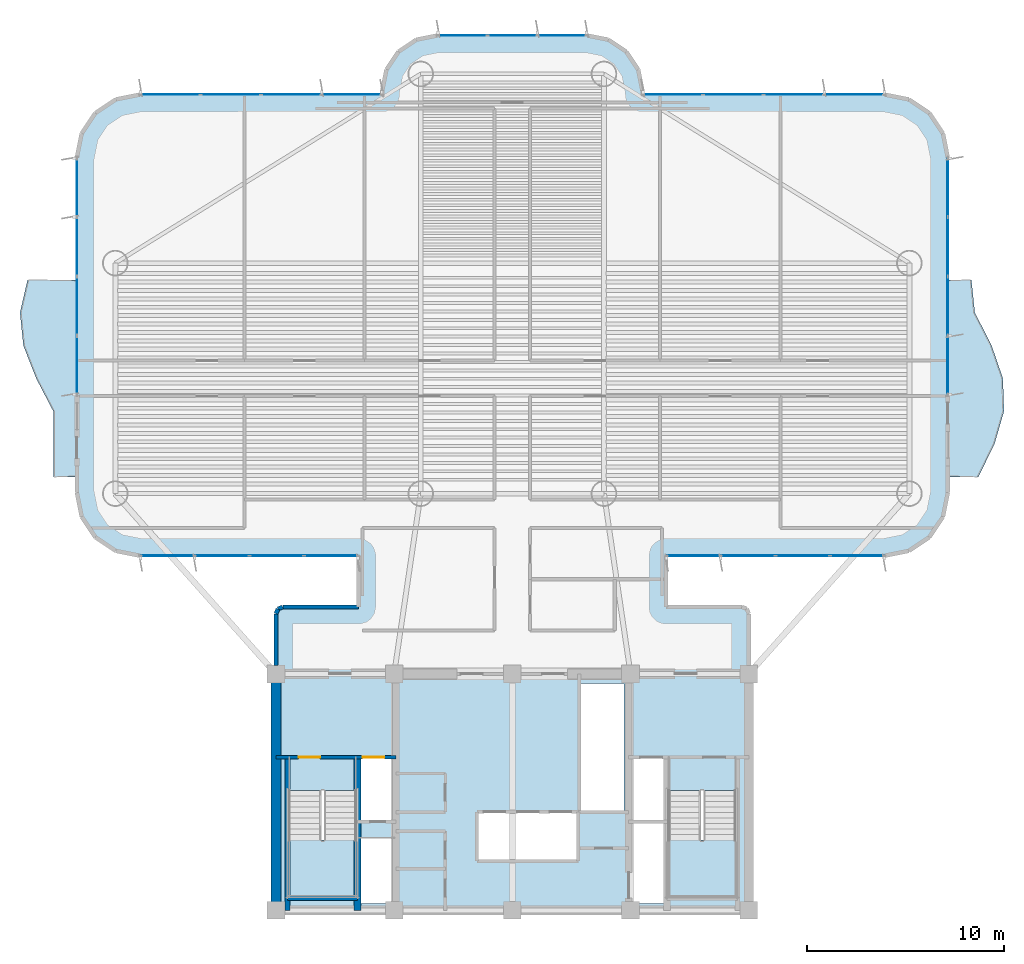
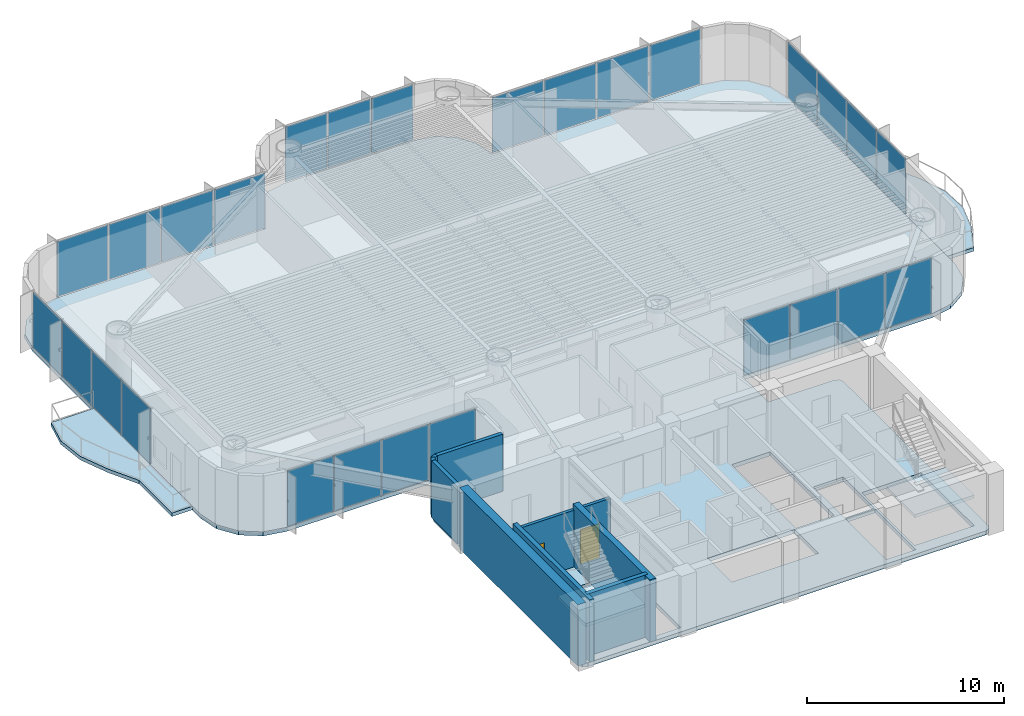
# One storey, part 8 of 16: 27 plates, 9 walls, 5 slabs, 2 doors, 2 openings, 9 elements without a shape of their own.
"""IFC4 building model written with IfcOpenShell, lengths in metres."""

from ifc_helpers import new_model, si_unit, direction, frame, frame_2d, origin, origin_2d, place, context, subcontext, project, spatial, polyline, rectangle, outline, extrude, source, transform, mapped, material, layer, layer_set, type_object, element, fill, aggregate, save


model = new_model("IFC4")

# Units and contexts
model_context = context("Model", 3, precision=1e-05, world=origin(), true_north=direction((0.0, 1.0)))
body_context = subcontext(model_context, "Body", "Model", "MODEL_VIEW")
ifc_project = project(units=[si_unit("LENGTHUNIT", "METRE"), si_unit("AREAUNIT", "SQUARE_METRE"), si_unit("VOLUMEUNIT", "CUBIC_METRE"), si_unit("PLANEANGLEUNIT", "RADIAN"), si_unit("MASSUNIT", "GRAM", prefix="KILO")], contexts=[model_context])

# Site, building, storey
site_placement = place(None, origin())
site = spatial("IfcSite", under=ifc_project, at=site_placement, CompositionType="ELEMENT")
building_placement = place(site_placement, origin())
building = spatial("IfcBuilding", under=site, at=building_placement, Name="Brelvock Crest Care Tower", CompositionType="ELEMENT")
storey_placement = place(building_placement, frame((0.0, 0.0, 116.280029296875)))
storey = spatial("IfcBuildingStorey", under=building, at=storey_placement, Name="L29", CompositionType="ELEMENT", Elevation=116.280029296875)

# Slabs
ifc_material_1 = material(Name="Concrete N50 (50 MPa)", Category="concrete")
ifc_layer_1 = layer(ifc_material_1, 0.22998046875, Name="SLB-FL4")
ifc_layer_set_1 = layer_set([ifc_layer_1], Name="Concrete N50 (50 MPa)")
slab_type_1 = type_object("IfcSlabType", Name="SLB-FL4", PredefinedType="FLOOR", material=ifc_layer_set_1)
slab_1_placement = place(storey_placement, frame((0.0, 0.0, -0.25)))
element("IfcSlab", 1, at=slab_1_placement, inside=storey, type_object=slab_type_1, Name="L29 Main Structural Slab", PredefinedType="FLOOR", context=body_context, shape_type="SweptSolid", body=[
    extrude(outline(polyline([(47.64990234375, 21.39990234375), (43.800048828125, 21.39990234375), (43.800048828125, 24.0), (54.89990234375, 24.0), (56.12451171875, 24.24365234375), (57.16259765625, 24.937255859375), (57.8564453125, 25.975341796875), (58.10009765625, 27.199951171875), (58.10009765625, 44.199951171875), (57.8564453125, 45.424560546875), (57.16259765625, 46.462646484375), (56.12451171875, 47.156494140625), (54.89990234375, 47.39990234375), (42.60009765625, 47.39990234375), (42.60009765625, 47.60009765625), (42.386962890625, 48.67138671875), (41.77978515625, 49.579833984375), (40.87158203125, 50.18701171875), (39.800048828125, 50.39990234375), (32.199951171875, 50.39990234375), (31.12841796875, 50.18701171875), (30.22021484375, 49.579833984375), (29.613037109375, 48.67138671875), (29.39990234375, 47.60009765625), (29.39990234375, 47.39990234375), (17.10009765625, 47.39990234375), (15.87548828125, 47.156494140625), (14.83740234375, 46.462646484375), (14.1435546875, 45.424560546875), (13.89990234375, 44.199951171875), (13.89990234375, 27.199951171875), (14.1435546875, 25.975341796875), (14.83740234375, 24.937255859375), (15.87548828125, 24.24365234375), (17.10009765625, 24.0), (28.199951171875, 24.0), (28.199951171875, 21.39990234375), (24.35009765625, 21.39990234375), (24.1025390625, 21.297607421875), (24.0, 21.050048828125), (24.0, 6.35009765625), (24.1025390625, 6.1025390625), (24.35009765625, 6.0), (47.64990234375, 6.0), (47.8974609375, 6.1025390625), (48.0, 6.35009765625), (48.0, 21.050048828125), (47.8974609375, 21.297607421875), (47.64990234375, 21.39990234375)]), holes=[polyline([(28.239990234375, 10.580078125), (29.97998046875, 10.580078125), (29.97998046875, 13.739990234375), (28.239990234375, 13.739990234375), (28.239990234375, 10.580078125)]), polyline([(42.02001953125, 10.580078125), (43.760009765625, 10.580078125), (43.760009765625, 13.739990234375), (42.02001953125, 13.739990234375), (42.02001953125, 10.580078125)]), polyline([(28.239990234375, 6.340087890625), (29.97998046875, 6.340087890625), (29.97998046875, 9.64990234375), (28.239990234375, 9.64990234375), (28.239990234375, 6.340087890625)]), polyline([(24.6298828125, 12.080078125), (24.6298828125, 6.699951171875), (28.110107421875, 6.699951171875), (28.110107421875, 12.080078125), (24.6298828125, 12.080078125)]), polyline([(43.889892578125, 12.080078125), (43.889892578125, 6.699951171875), (47.3701171875, 6.699951171875), (47.3701171875, 12.080078125), (43.889892578125, 12.080078125)]), polyline([(42.02001953125, 6.340087890625), (43.760009765625, 6.340087890625), (43.760009765625, 10.5), (42.02001953125, 10.5), (42.02001953125, 6.340087890625)]), polyline([(34.22998046875, 8.530029296875), (39.320068359375, 8.530029296875), (39.320068359375, 10.969970703125), (34.22998046875, 10.969970703125), (34.22998046875, 8.530029296875)]), polyline([(39.429931640625, 11.030029296875), (41.669921875, 11.030029296875), (41.669921875, 17.52001953125), (39.429931640625, 17.52001953125), (39.429931640625, 11.030029296875)])]), origin(), (0.0, 0.0, 1.0), 0.25),
])
ifc_layer_2 = layer(ifc_material_1, 0.219970703125, Name="SLB-WB1")
ifc_layer_set_2 = layer_set([ifc_layer_2], Name="Concrete N50 (50 MPa)")
slab_type_2 = type_object("IfcSlabType", Name="SLB-WB1", PredefinedType="FLOOR", material=ifc_layer_set_2)
slab_2_placement = place(storey_placement, frame((0.0, 0.0, -0.219970703125)))
element("IfcSlab", 2, at=slab_2_placement, inside=storey, type_object=slab_type_2, Name="L29 W Sinusoidal Wave Balcony Slab", PredefinedType="FLOOR", context=body_context, shape_type="SweptSolid", body=[
    extrude(outline(polyline([(13.89990234375, 38.0), (11.3955078125, 38.0), (11.011474609375, 36.333251953125), (11.180908203125, 34.666748046875), (11.83349609375, 33.0), (12.699462890625, 31.333251953125), (12.699951171875, 29.666748046875), (12.699951171875, 28.0), (13.89990234375, 28.0), (13.89990234375, 38.0)])), origin(), (0.0, 0.0, 1.0), 0.219970703125),
])
slab_3_placement = place(storey_placement, frame((0.0, 0.0, -0.219970703125)))
element("IfcSlab", 3, at=slab_3_placement, inside=storey, type_object=slab_type_2, Name="L29 E Sinusoidal Wave Balcony Slab", PredefinedType="FLOOR", context=body_context, shape_type="SweptSolid", body=[
    extrude(outline(polyline([(58.10009765625, 28.0), (59.64990234375, 28.0), (60.4716796875, 29.666748046875), (60.9541015625, 31.333251953125), (60.897216796875, 33.0), (60.324951171875, 34.666748046875), (59.473876953125, 36.333251953125), (59.300048828125, 38.0), (58.10009765625, 38.0), (58.10009765625, 28.0)])), origin(), (0.0, 0.0, 1.0), 0.219970703125),
])

# Stair, slab
ifc_material_2 = material(Name="Concrete N40 (40 MPa)", Category="concrete")
stair_type = type_object("IfcStairType", Name="ST-CORE1", PredefinedType="HALF_TURN_STAIR", material=ifc_material_2)
stair_1_placement = place(storey_placement, origin())
stair_1 = element("IfcStair", 4, at=stair_1_placement, inside=storey, type_object=stair_type, Name="L29 Fire-Isolated Core Stair ST-1", PredefinedType="HALF_TURN_STAIR")
ifc_layer_3 = layer(ifc_material_2, 0.199951171875, Name="STL-1")
ifc_layer_set_3 = layer_set([ifc_layer_3], Name="Concrete N40 (40 MPa)")
slab_type_3 = type_object("IfcSlabType", Name="STL-1", PredefinedType="LANDING", material=ifc_layer_set_3)
slab_4_placement = place(storey_placement, frame((0.0, 0.0, 1.68994140625)))
slab_4 = element("IfcSlab", 5, at=slab_4_placement, type_object=slab_type_3, Name="ST-1 landing 1", PredefinedType="LANDING", context=body_context, shape_type="SweptSolid", body=[
    extrude(outline(polyline([(24.6298828125, 9.56005859375), (24.6298828125, 6.699951171875), (28.110107421875, 6.699951171875), (28.110107421875, 9.56005859375), (24.6298828125, 9.56005859375)])), origin(), (0.0, 0.0, 1.0), 0.199951171875),
])
aggregate(stair_1, [slab_4])

stair_2_placement = place(storey_placement, origin())
stair_2 = element("IfcStair", 6, at=stair_2_placement, inside=storey, type_object=stair_type, Name="L29 Fire-Isolated Core Stair ST-2", PredefinedType="HALF_TURN_STAIR")
slab_5_placement = place(storey_placement, frame((0.0, 0.0, 1.68994140625)))
slab_5 = element("IfcSlab", 7, at=slab_5_placement, type_object=slab_type_3, Name="ST-2 landing 1", PredefinedType="LANDING", context=body_context, shape_type="SweptSolid", body=[
    extrude(outline(polyline([(43.889892578125, 9.56005859375), (43.889892578125, 6.699951171875), (47.3701171875, 6.699951171875), (47.3701171875, 9.56005859375), (43.889892578125, 9.56005859375)])), origin(), (0.0, 0.0, 1.0), 0.199951171875),
])
aggregate(stair_2, [slab_5])

# Curtain wall, plates
ifc_material_3 = material(Name="Dark Glass Double Glazed Low-E", Category="glass")
ifc_layer_4 = layer(ifc_material_3, 0.2099609375, Name="CWS-3")
ifc_layer_set_4 = layer_set([ifc_layer_4], Name="Dark Glass Double Glazed Low-E")
curtain_wall_type = type_object("IfcCurtainWallType", Name="CWS-3", PredefinedType="NOTDEFINED", material=ifc_layer_set_4)
curtain_wall_1_placement = place(storey_placement, origin())
curtain_wall_1 = element("IfcCurtainWall", 8, at=curtain_wall_1_placement, inside=storey, type_object=curtain_wall_type, Name="L29 Curtain Wall E12", PredefinedType="NOTDEFINED")
ifc_layer_5 = layer(ifc_material_3, 0.031982421875, Name="CWP-V1")
ifc_layer_set_5 = layer_set([ifc_layer_5], Name="Dark Glass Double Glazed Low-E")
plate_type = type_object("IfcPlateType", Name="CWP-V1", PredefinedType="CURTAIN_PANEL", material=ifc_layer_set_5)
shared_shape_1 = source(origin(), body_context, "Body", "SweptSolid", [
    extrude(rectangle(XDim=2.68505859375, YDim=0.035888671875, at=origin_2d()), origin(), (0.0, 0.0, 1.0), 3.409912109375),
])
plate_1_placement = place(storey_placement, frame((26.797607421875, 24.0, 0.06005859375), z_axis=(0.0, 0.0, 1.0), x_axis=(-1.0, 0.0, 0.0)))
plate_1 = element("IfcPlate", 9, at=plate_1_placement, type_object=plate_type, Name="CW-3 panel 1.1", PredefinedType="CURTAIN_PANEL", context=body_context, shape_type="MappedRepresentation", body=[
    mapped(shared_shape_1, transform((0.0, 0.0, 0.0), x_axis=(1.0, 0.0, 0.0), y_axis=(0.0, 1.0, 0.0), z_axis=(0.0, 0.0, 1.0), scale=1.0)),
])
plate_2_placement = place(storey_placement, frame((18.50244140625, 24.0, 0.06005859375), z_axis=(0.0, 0.0, 1.0), x_axis=(-1.0, 0.0, 0.0)))
plate_2 = element("IfcPlate", 10, at=plate_2_placement, type_object=plate_type, Name="CW-3 panel 4.1", PredefinedType="CURTAIN_PANEL", context=body_context, shape_type="MappedRepresentation", body=[
    mapped(shared_shape_1, transform((0.0, 0.0, 0.0), x_axis=(1.0, 0.0, 0.0), y_axis=(0.0, 1.0, 0.0), z_axis=(0.0, 0.0, 1.0), scale=1.0)),
])

curtain_wall_2_placement = place(storey_placement, origin())
curtain_wall_2 = element("IfcCurtainWall", 11, at=curtain_wall_2_placement, inside=storey, type_object=curtain_wall_type, Name="L29 Curtain Wall E44", PredefinedType="NOTDEFINED")
plate_3_placement = place(storey_placement, frame((53.49755859375, 24.0, 0.06005859375), z_axis=(0.0, 0.0, 1.0), x_axis=(-1.0, 0.0, 0.0)))
plate_3 = element("IfcPlate", 12, at=plate_3_placement, type_object=plate_type, Name="CW-3 panel 1.1", PredefinedType="CURTAIN_PANEL", context=body_context, shape_type="MappedRepresentation", body=[
    mapped(shared_shape_1, transform((0.0, 0.0, 0.0), x_axis=(1.0, 0.0, 0.0), y_axis=(0.0, 1.0, 0.0), z_axis=(0.0, 0.0, 1.0), scale=1.0)),
])
plate_4_placement = place(storey_placement, frame((45.202392578125, 24.0, 0.06005859375), z_axis=(0.0, 0.0, 1.0), x_axis=(-1.0, 0.0, 0.0)))
plate_4 = element("IfcPlate", 13, at=plate_4_placement, type_object=plate_type, Name="CW-3 panel 4.1", PredefinedType="CURTAIN_PANEL", context=body_context, shape_type="MappedRepresentation", body=[
    mapped(shared_shape_1, transform((0.0, 0.0, 0.0), x_axis=(1.0, 0.0, 0.0), y_axis=(0.0, 1.0, 0.0), z_axis=(0.0, 0.0, 1.0), scale=1.0)),
])

# Plate
shared_shape_2 = source(origin(), body_context, "Body", "SweptSolid", [
    extrude(rectangle(XDim=2.715087890625, YDim=0.035888671875, at=origin_2d()), origin(), (0.0, 0.0, 1.0), 3.409912109375),
])
plate_5_placement = place(storey_placement, frame((24.03759765625, 24.0, 0.06005859375), z_axis=(0.0, 0.0, 1.0), x_axis=(-1.0, 0.0, 0.0)))
plate_5 = element("IfcPlate", 14, at=plate_5_placement, type_object=plate_type, Name="CW-3 panel 2.1", PredefinedType="CURTAIN_PANEL", context=body_context, shape_type="MappedRepresentation", body=[
    mapped(shared_shape_2, transform((0.0, 0.0, 0.0), x_axis=(1.0, 0.0, 0.0), y_axis=(0.0, 1.0, 0.0), z_axis=(0.0, 0.0, 1.0), scale=1.0)),
])

plate_6_placement = place(storey_placement, frame((21.262451171875, 24.0, 0.06005859375), z_axis=(0.0, 0.0, 1.0), x_axis=(-1.0, 0.0, 0.0)))
plate_6 = element("IfcPlate", 15, at=plate_6_placement, type_object=plate_type, Name="CW-3 panel 3.1", PredefinedType="CURTAIN_PANEL", context=body_context, shape_type="MappedRepresentation", body=[
    mapped(shared_shape_2, transform((0.0, 0.0, 0.0), x_axis=(1.0, 0.0, 0.0), y_axis=(0.0, 1.0, 0.0), z_axis=(0.0, 0.0, 1.0), scale=1.0)),
])

aggregate(curtain_wall_1, [plate_1, plate_5, plate_6, plate_2])

plate_7_placement = place(storey_placement, frame((50.737548828125, 24.0, 0.06005859375), z_axis=(0.0, 0.0, 1.0), x_axis=(-1.0, 0.0, 0.0)))
plate_7 = element("IfcPlate", 16, at=plate_7_placement, type_object=plate_type, Name="CW-3 panel 2.1", PredefinedType="CURTAIN_PANEL", context=body_context, shape_type="MappedRepresentation", body=[
    mapped(shared_shape_2, transform((0.0, 0.0, 0.0), x_axis=(1.0, 0.0, 0.0), y_axis=(0.0, 1.0, 0.0), z_axis=(0.0, 0.0, 1.0), scale=1.0)),
])

plate_8_placement = place(storey_placement, frame((47.96240234375, 24.0, 0.06005859375), z_axis=(0.0, 0.0, 1.0), x_axis=(-1.0, 0.0, 0.0)))
plate_8 = element("IfcPlate", 17, at=plate_8_placement, type_object=plate_type, Name="CW-3 panel 3.1", PredefinedType="CURTAIN_PANEL", context=body_context, shape_type="MappedRepresentation", body=[
    mapped(shared_shape_2, transform((0.0, 0.0, 0.0), x_axis=(1.0, 0.0, 0.0), y_axis=(0.0, 1.0, 0.0), z_axis=(0.0, 0.0, 1.0), scale=1.0)),
])

aggregate(curtain_wall_2, [plate_3, plate_7, plate_8, plate_4])

# Curtain wall, plates
curtain_wall_3_placement = place(storey_placement, origin())
curtain_wall_3 = element("IfcCurtainWall", 18, at=curtain_wall_3_placement, inside=storey, type_object=curtain_wall_type, Name="L29 Curtain Wall E17B", PredefinedType="NOTDEFINED")
shared_shape_3 = source(origin(), body_context, "Body", "SweptSolid", [
    extrude(rectangle(XDim=2.922607421875, YDim=0.035888671875, at=origin_2d()), origin(), (0.0, 0.0, 1.0), 3.409912109375),
])
plate_9_placement = place(storey_placement, frame((13.89990234375, 33.671142578125, 0.06005859375), z_axis=(0.0, 0.0, 1.0), x_axis=(0.0, 1.0, 0.0)))
plate_9 = element("IfcPlate", 19, at=plate_9_placement, type_object=plate_type, Name="CW-3 panel 1.1", PredefinedType="CURTAIN_PANEL", context=body_context, shape_type="MappedRepresentation", body=[
    mapped(shared_shape_3, transform((0.0, 0.0, 0.0), x_axis=(1.0, 0.0, 0.0), y_axis=(0.0, 1.0, 0.0), z_axis=(0.0, 0.0, 1.0), scale=1.0)),
])
plate_10_placement = place(storey_placement, frame((13.89990234375, 42.6787109375, 0.06005859375), z_axis=(0.0, 0.0, 1.0), x_axis=(0.0, 1.0, 0.0)))
plate_10 = element("IfcPlate", 20, at=plate_10_placement, type_object=plate_type, Name="CW-3 panel 4.1", PredefinedType="CURTAIN_PANEL", context=body_context, shape_type="MappedRepresentation", body=[
    mapped(shared_shape_3, transform((0.0, 0.0, 0.0), x_axis=(1.0, 0.0, 0.0), y_axis=(0.0, 1.0, 0.0), z_axis=(0.0, 0.0, 1.0), scale=1.0)),
])

curtain_wall_4_placement = place(storey_placement, origin())
curtain_wall_4 = element("IfcCurtainWall", 21, at=curtain_wall_4_placement, inside=storey, type_object=curtain_wall_type, Name="L29 Curtain Wall E39A", PredefinedType="NOTDEFINED")
plate_11_placement = place(storey_placement, frame((58.10009765625, 42.6787109375, 0.06005859375), z_axis=(0.0, 0.0, 1.0), x_axis=(0.0, -1.0, 0.0)))
plate_11 = element("IfcPlate", 22, at=plate_11_placement, type_object=plate_type, Name="CW-3 panel 1.1", PredefinedType="CURTAIN_PANEL", context=body_context, shape_type="MappedRepresentation", body=[
    mapped(shared_shape_3, transform((0.0, 0.0, 0.0), x_axis=(1.0, 0.0, 0.0), y_axis=(0.0, 1.0, 0.0), z_axis=(0.0, 0.0, 1.0), scale=1.0)),
])
plate_12_placement = place(storey_placement, frame((58.10009765625, 33.671142578125, 0.06005859375), z_axis=(0.0, 0.0, 1.0), x_axis=(0.0, -1.0, 0.0)))
plate_12 = element("IfcPlate", 23, at=plate_12_placement, type_object=plate_type, Name="CW-3 panel 4.1", PredefinedType="CURTAIN_PANEL", context=body_context, shape_type="MappedRepresentation", body=[
    mapped(shared_shape_3, transform((0.0, 0.0, 0.0), x_axis=(1.0, 0.0, 0.0), y_axis=(0.0, 1.0, 0.0), z_axis=(0.0, 0.0, 1.0), scale=1.0)),
])

# Plate
shared_shape_4 = source(origin(), body_context, "Body", "SweptSolid", [
    extrude(rectangle(XDim=2.952392578125, YDim=0.035888671875, at=origin_2d()), origin(), (0.0, 0.0, 1.0), 3.409912109375),
])
plate_13_placement = place(storey_placement, frame((13.89990234375, 36.668701171875, 0.06005859375), z_axis=(0.0, 0.0, 1.0), x_axis=(0.0, 1.0, 0.0)))
plate_13 = element("IfcPlate", 24, at=plate_13_placement, type_object=plate_type, Name="CW-3 panel 2.1", PredefinedType="CURTAIN_PANEL", context=body_context, shape_type="MappedRepresentation", body=[
    mapped(shared_shape_4, transform((0.0, 0.0, 0.0), x_axis=(1.0, 0.0, 0.0), y_axis=(0.0, 1.0, 0.0), z_axis=(0.0, 0.0, 1.0), scale=1.0)),
])

plate_14_placement = place(storey_placement, frame((13.89990234375, 39.68115234375, 0.06005859375), z_axis=(0.0, 0.0, 1.0), x_axis=(0.0, 1.0, 0.0)))
plate_14 = element("IfcPlate", 25, at=plate_14_placement, type_object=plate_type, Name="CW-3 panel 3.1", PredefinedType="CURTAIN_PANEL", context=body_context, shape_type="MappedRepresentation", body=[
    mapped(shared_shape_4, transform((0.0, 0.0, 0.0), x_axis=(1.0, 0.0, 0.0), y_axis=(0.0, 1.0, 0.0), z_axis=(0.0, 0.0, 1.0), scale=1.0)),
])

aggregate(curtain_wall_3, [plate_9, plate_13, plate_14, plate_10])

plate_15_placement = place(storey_placement, frame((58.10009765625, 39.68115234375, 0.06005859375), z_axis=(0.0, 0.0, 1.0), x_axis=(0.0, -1.0, 0.0)))
plate_15 = element("IfcPlate", 26, at=plate_15_placement, type_object=plate_type, Name="CW-3 panel 2.1", PredefinedType="CURTAIN_PANEL", context=body_context, shape_type="MappedRepresentation", body=[
    mapped(shared_shape_4, transform((0.0, 0.0, 0.0), x_axis=(1.0, 0.0, 0.0), y_axis=(0.0, 1.0, 0.0), z_axis=(0.0, 0.0, 1.0), scale=1.0)),
])

plate_16_placement = place(storey_placement, frame((58.10009765625, 36.668701171875, 0.06005859375), z_axis=(0.0, 0.0, 1.0), x_axis=(0.0, -1.0, 0.0)))
plate_16 = element("IfcPlate", 27, at=plate_16_placement, type_object=plate_type, Name="CW-3 panel 3.1", PredefinedType="CURTAIN_PANEL", context=body_context, shape_type="MappedRepresentation", body=[
    mapped(shared_shape_4, transform((0.0, 0.0, 0.0), x_axis=(1.0, 0.0, 0.0), y_axis=(0.0, 1.0, 0.0), z_axis=(0.0, 0.0, 1.0), scale=1.0)),
])

aggregate(curtain_wall_4, [plate_11, plate_15, plate_16, plate_12])

# Curtain wall, plates
curtain_wall_5_placement = place(storey_placement, origin())
curtain_wall_5 = element("IfcCurtainWall", 28, at=curtain_wall_5_placement, inside=storey, type_object=curtain_wall_type, Name="L29 Curtain Wall E22", PredefinedType="NOTDEFINED")
shared_shape_5 = source(origin(), body_context, "Body", "SweptSolid", [
    extrude(rectangle(XDim=2.985107421875, YDim=0.035888671875, at=origin_2d()), origin(), (0.0, 0.0, 1.0), 3.409912109375),
])
plate_17_placement = place(storey_placement, frame((18.652587890625, 47.39990234375, 0.06005859375), z_axis=(0.0, 0.0, 1.0), x_axis=(1.0, 0.0, 0.0)))
plate_17 = element("IfcPlate", 29, at=plate_17_placement, type_object=plate_type, Name="CW-3 panel 1.1", PredefinedType="CURTAIN_PANEL", context=body_context, shape_type="MappedRepresentation", body=[
    mapped(shared_shape_5, transform((0.0, 0.0, 0.0), x_axis=(1.0, 0.0, 0.0), y_axis=(0.0, 1.0, 0.0), z_axis=(0.0, 0.0, 1.0), scale=1.0)),
])
plate_18_placement = place(storey_placement, frame((27.847412109375, 47.39990234375, 0.06005859375), z_axis=(0.0, 0.0, 1.0), x_axis=(1.0, 0.0, 0.0)))
plate_18 = element("IfcPlate", 30, at=plate_18_placement, type_object=plate_type, Name="CW-3 panel 4.1", PredefinedType="CURTAIN_PANEL", context=body_context, shape_type="MappedRepresentation", body=[
    mapped(shared_shape_5, transform((0.0, 0.0, 0.0), x_axis=(1.0, 0.0, 0.0), y_axis=(0.0, 1.0, 0.0), z_axis=(0.0, 0.0, 1.0), scale=1.0)),
])

curtain_wall_6_placement = place(storey_placement, origin())
curtain_wall_6 = element("IfcCurtainWall", 31, at=curtain_wall_6_placement, inside=storey, type_object=curtain_wall_type, Name="L29 Curtain Wall E34", PredefinedType="NOTDEFINED")
plate_19_placement = place(storey_placement, frame((44.152587890625, 47.39990234375, 0.06005859375), z_axis=(0.0, 0.0, 1.0), x_axis=(1.0, 0.0, 0.0)))
plate_19 = element("IfcPlate", 32, at=plate_19_placement, type_object=plate_type, Name="CW-3 panel 1.1", PredefinedType="CURTAIN_PANEL", context=body_context, shape_type="MappedRepresentation", body=[
    mapped(shared_shape_5, transform((0.0, 0.0, 0.0), x_axis=(1.0, 0.0, 0.0), y_axis=(0.0, 1.0, 0.0), z_axis=(0.0, 0.0, 1.0), scale=1.0)),
])
plate_20_placement = place(storey_placement, frame((53.347412109375, 47.39990234375, 0.06005859375), z_axis=(0.0, 0.0, 1.0), x_axis=(1.0, 0.0, 0.0)))
plate_20 = element("IfcPlate", 33, at=plate_20_placement, type_object=plate_type, Name="CW-3 panel 4.1", PredefinedType="CURTAIN_PANEL", context=body_context, shape_type="MappedRepresentation", body=[
    mapped(shared_shape_5, transform((0.0, 0.0, 0.0), x_axis=(1.0, 0.0, 0.0), y_axis=(0.0, 1.0, 0.0), z_axis=(0.0, 0.0, 1.0), scale=1.0)),
])

# Plate
shared_shape_6 = source(origin(), body_context, "Body", "SweptSolid", [
    extrude(rectangle(XDim=3.014892578125, YDim=0.035888671875, at=origin_2d()), origin(), (0.0, 0.0, 1.0), 3.409912109375),
])
plate_21_placement = place(storey_placement, frame((21.71240234375, 47.39990234375, 0.06005859375), z_axis=(0.0, 0.0, 1.0), x_axis=(1.0, 0.0, 0.0)))
plate_21 = element("IfcPlate", 34, at=plate_21_placement, type_object=plate_type, Name="CW-3 panel 2.1", PredefinedType="CURTAIN_PANEL", context=body_context, shape_type="MappedRepresentation", body=[
    mapped(shared_shape_6, transform((0.0, 0.0, 0.0), x_axis=(1.0, 0.0, 0.0), y_axis=(0.0, 1.0, 0.0), z_axis=(0.0, 0.0, 1.0), scale=1.0)),
])

plate_22_placement = place(storey_placement, frame((24.78759765625, 47.39990234375, 0.06005859375), z_axis=(0.0, 0.0, 1.0), x_axis=(1.0, 0.0, 0.0)))
plate_22 = element("IfcPlate", 35, at=plate_22_placement, type_object=plate_type, Name="CW-3 panel 3.1", PredefinedType="CURTAIN_PANEL", context=body_context, shape_type="MappedRepresentation", body=[
    mapped(shared_shape_6, transform((0.0, 0.0, 0.0), x_axis=(1.0, 0.0, 0.0), y_axis=(0.0, 1.0, 0.0), z_axis=(0.0, 0.0, 1.0), scale=1.0)),
])

aggregate(curtain_wall_5, [plate_17, plate_21, plate_22, plate_18])

plate_23_placement = place(storey_placement, frame((47.21240234375, 47.39990234375, 0.06005859375), z_axis=(0.0, 0.0, 1.0), x_axis=(1.0, 0.0, 0.0)))
plate_23 = element("IfcPlate", 36, at=plate_23_placement, type_object=plate_type, Name="CW-3 panel 2.1", PredefinedType="CURTAIN_PANEL", context=body_context, shape_type="MappedRepresentation", body=[
    mapped(shared_shape_6, transform((0.0, 0.0, 0.0), x_axis=(1.0, 0.0, 0.0), y_axis=(0.0, 1.0, 0.0), z_axis=(0.0, 0.0, 1.0), scale=1.0)),
])

plate_24_placement = place(storey_placement, frame((50.28759765625, 47.39990234375, 0.06005859375), z_axis=(0.0, 0.0, 1.0), x_axis=(1.0, 0.0, 0.0)))
plate_24 = element("IfcPlate", 37, at=plate_24_placement, type_object=plate_type, Name="CW-3 panel 3.1", PredefinedType="CURTAIN_PANEL", context=body_context, shape_type="MappedRepresentation", body=[
    mapped(shared_shape_6, transform((0.0, 0.0, 0.0), x_axis=(1.0, 0.0, 0.0), y_axis=(0.0, 1.0, 0.0), z_axis=(0.0, 0.0, 1.0), scale=1.0)),
])

aggregate(curtain_wall_6, [plate_19, plate_23, plate_24, plate_20])

# Curtain wall, plates
curtain_wall_7_placement = place(storey_placement, origin())
curtain_wall_7 = element("IfcCurtainWall", 38, at=curtain_wall_7_placement, inside=storey, type_object=curtain_wall_type, Name="L29 Curtain Wall E28", PredefinedType="NOTDEFINED")
shared_shape_7 = source(origin(), body_context, "Body", "SweptSolid", [
    extrude(rectangle(XDim=2.443359375, YDim=0.035888671875, at=origin_2d()), origin(), (0.0, 0.0, 1.0), 3.409912109375),
])
plate_25_placement = place(storey_placement, frame((33.481689453125, 50.39990234375, 0.06005859375), z_axis=(0.0, 0.0, 1.0), x_axis=(1.0, 0.0, 0.0)))
plate_25 = element("IfcPlate", 39, at=plate_25_placement, type_object=plate_type, Name="CW-3 panel 1.1", PredefinedType="CURTAIN_PANEL", context=body_context, shape_type="MappedRepresentation", body=[
    mapped(shared_shape_7, transform((0.0, 0.0, 0.0), x_axis=(1.0, 0.0, 0.0), y_axis=(0.0, 1.0, 0.0), z_axis=(0.0, 0.0, 1.0), scale=1.0)),
])
plate_26_placement = place(storey_placement, frame((38.518310546875, 50.39990234375, 0.06005859375), z_axis=(0.0, 0.0, 1.0), x_axis=(1.0, 0.0, 0.0)))
plate_26 = element("IfcPlate", 40, at=plate_26_placement, type_object=plate_type, Name="CW-3 panel 3.1", PredefinedType="CURTAIN_PANEL", context=body_context, shape_type="MappedRepresentation", body=[
    mapped(shared_shape_7, transform((0.0, 0.0, 0.0), x_axis=(1.0, 0.0, 0.0), y_axis=(0.0, 1.0, 0.0), z_axis=(0.0, 0.0, 1.0), scale=1.0)),
])
shared_shape_8 = source(origin(), body_context, "Body", "SweptSolid", [
    extrude(rectangle(XDim=2.473388671875, YDim=0.035888671875, at=origin_2d()), origin(), (0.0, 0.0, 1.0), 3.409912109375),
])
plate_27_placement = place(storey_placement, frame((36.0, 50.39990234375, 0.06005859375), z_axis=(0.0, 0.0, 1.0), x_axis=(1.0, 0.0, 0.0)))
plate_27 = element("IfcPlate", 41, at=plate_27_placement, type_object=plate_type, Name="CW-3 panel 2.1", PredefinedType="CURTAIN_PANEL", context=body_context, shape_type="MappedRepresentation", body=[
    mapped(shared_shape_8, transform((0.0, 0.0, 0.0), x_axis=(1.0, 0.0, 0.0), y_axis=(0.0, 1.0, 0.0), z_axis=(0.0, 0.0, 1.0), scale=1.0)),
])
aggregate(curtain_wall_7, [plate_25, plate_27, plate_26])

# Walls
ifc_material_4 = material(Name="Concrete S80 (80 MPa)", Category="concrete")
ifc_layer_6 = layer(ifc_material_4, 0.5, Name="WL-CS2")
ifc_layer_set_6 = layer_set([ifc_layer_6], Name="Concrete S80 (80 MPa)")
wall_type_1 = type_object("IfcWallType", Name="WL-CS2", PredefinedType="SHEAR", material=ifc_layer_set_6)
wall_1_placement = place(storey_placement, frame((24.0, 6.0, 0.0), z_axis=(0.0, 0.0, 1.0), x_axis=(0.0, 1.0, 0.0)))
element("IfcWall", 42, at=wall_1_placement, inside=storey, type_object=wall_type_1, Name="L29 Core West Shear Wall", PredefinedType="SHEAR", context=body_context, shape_type="SweptSolid", body=[
    extrude(rectangle(XDim=12.0, YDim=0.5, at=frame_2d((6.0, 0.0))), origin(), (0.0, 0.0, 1.0), 3.780029296875),
])
ifc_layer_7 = layer(ifc_material_4, 0.35009765625, Name="WL-CS5")
ifc_layer_set_7 = layer_set([ifc_layer_7], Name="Concrete S80 (80 MPa)")
wall_type_2 = type_object("IfcWallType", Name="WL-CS5", PredefinedType="SHEAR", material=ifc_layer_set_7)
wall_2_placement = place(storey_placement, frame((28.14990234375, 6.0, 0.0), z_axis=(0.0, 0.0, 1.0), x_axis=(0.0, 1.0, 0.0)))
element("IfcWall", 43, at=wall_2_placement, inside=storey, type_object=wall_type_2, Name="L29 Core Stair ST-1 East Shear Wall", PredefinedType="SHEAR", context=body_context, shape_type="SweptSolid", body=[
    extrude(rectangle(XDim=7.780029296875, YDim=0.35009765625, at=frame_2d((3.89013671875, 0.0))), origin(), (0.0, 0.0, 1.0), 3.849853515625),
])
ifc_layer_8 = layer(ifc_material_4, 0.25, Name="WL-CS6")
ifc_layer_set_8 = layer_set([ifc_layer_8], Name="Concrete S80 (80 MPa)")
wall_type_3 = type_object("IfcWallType", Name="WL-CS6", PredefinedType="SHEAR", material=ifc_layer_set_8)
wall_3_placement = place(storey_placement, frame((24.580078125, 6.0, 0.0), z_axis=(0.0, 0.0, 1.0), x_axis=(0.0, 1.0, 0.0)))
element("IfcWall", 44, at=wall_3_placement, inside=storey, type_object=wall_type_3, Name="L29 Core Stair ST-1 West Shear Wall", PredefinedType="SHEAR", context=body_context, shape_type="SweptSolid", body=[
    extrude(rectangle(XDim=7.780029296875, YDim=0.25, at=frame_2d((3.89013671875, 0.0))), origin(), (0.0, 0.0, 1.0), 3.849853515625),
])
wall_4_placement = place(storey_placement, frame((24.580078125, 6.6201171875, 0.0), z_axis=(0.0, 0.0, 1.0), x_axis=(1.0, 0.0, 0.0)))
element("IfcWall", 45, at=wall_4_placement, inside=storey, type_object=wall_type_3, Name="L29 Core Stair ST-1 South Shear Wall", PredefinedType="SHEAR", context=body_context, shape_type="SweptSolid", body=[
    extrude(rectangle(XDim=3.56982421875, YDim=0.25, at=frame_2d((1.784912109375, 0.0))), origin(), (0.0, 0.0, 1.0), 3.849853515625),
])
ifc_material_5 = material(Name="Precast concrete N40 (40 MPa)", Category="concrete")
ifc_layer_9 = layer(ifc_material_5, 0.215087890625, Name="WL-EX2")
ifc_layer_set_9 = layer_set([ifc_layer_9], Name="Precast concrete N40 (40 MPa)")
wall_type_4 = type_object("IfcWallType", Name="WL-EX2", PredefinedType="SOLIDWALL", material=ifc_layer_set_9)
wall_5_placement = place(storey_placement, frame((24.0, 18.429931640625, 0.0), z_axis=(0.0, 0.0, 1.0), x_axis=(0.0, 1.0, 0.0)))
element("IfcWall", 46, at=wall_5_placement, inside=storey, type_object=wall_type_4, Name="L29 Rounded Corner Wall 07", PredefinedType="SOLIDWALL", context=body_context, shape_type="SweptSolid", body=[
    extrude(rectangle(XDim=2.6201171875, YDim=0.215087890625, at=frame_2d((1.31005859375, 0.0))), origin(), (0.0, 0.0, 1.0), 3.530029296875),
])
wall_6_placement = place(storey_placement, frame((24.0, 21.050048828125, 0.0), z_axis=(0.0, 0.0, 1.0), x_axis=(0.382673670509, 0.923883575944, 0.0)))
element("IfcWall", 47, at=wall_6_placement, inside=storey, type_object=wall_type_4, Name="L29 Rounded Corner Wall 08", PredefinedType="SOLIDWALL", context=body_context, shape_type="SweptSolid", body=[
    extrude(rectangle(XDim=0.26806640625, YDim=0.215087890625, at=frame_2d((0.134033203125, 0.0))), origin(), (0.0, 0.0, 1.0), 3.530029296875),
])
wall_7_placement = place(storey_placement, frame((24.1025390625, 21.297607421875, 0.0), z_axis=(0.0, 0.0, 1.0), x_axis=(0.924205486139, 0.381895560841, 0.0)))
element("IfcWall", 48, at=wall_7_placement, inside=storey, type_object=wall_type_4, Name="L29 Rounded Corner Wall 09", PredefinedType="SOLIDWALL", context=body_context, shape_type="SweptSolid", body=[
    extrude(rectangle(XDim=0.267822265625, YDim=0.215087890625, at=frame_2d((0.1337890625, 0.0))), origin(), (0.0, 0.0, 1.0), 3.530029296875),
])
wall_8_placement = place(storey_placement, frame((24.35009765625, 21.39990234375, 0.0), z_axis=(0.0, 0.0, 1.0), x_axis=(1.0, 0.0, 0.0)))
element("IfcWall", 49, at=wall_8_placement, inside=storey, type_object=wall_type_4, Name="L29 Rounded Corner Wall 10", PredefinedType="SOLIDWALL", context=body_context, shape_type="SweptSolid", body=[
    extrude(rectangle(XDim=3.849853515625, YDim=0.215087890625, at=frame_2d((1.9248046875, 0.0))), origin(), (0.0, 0.0, 1.0), 3.530029296875),
])

# Wall, openings, doors
ifc_material_6 = material(Name="Masonry Blockwork Acoustic Partition", Category="masonry")
ifc_layer_10 = layer(ifc_material_6, 0.179931640625, Name="WL-SHF1")
ifc_layer_set_10 = layer_set([ifc_layer_10], Name="Masonry Blockwork Acoustic Partition")
wall_type_5 = type_object("IfcWallType", Name="WL-SHF1", PredefinedType="PARTITIONING", material=ifc_layer_set_10)
wall_9_placement = place(storey_placement, frame((24.0, 13.780029296875, 0.0), z_axis=(0.0, 0.0, 1.0), x_axis=(1.0, 0.0, 0.0)))
wall_9 = element("IfcWall", 50, at=wall_9_placement, inside=storey, type_object=wall_type_5, Name="L29 Interior Wall WL-ST1-N-L29", PredefinedType="PARTITIONING", context=body_context, shape_type="SweptSolid", body=[
    extrude(rectangle(XDim=6.10009765625, YDim=0.179931640625, at=frame_2d((3.050048828125, 0.0))), origin(), (0.0, 0.0, 1.0), 3.5),
])
opening_1_placement = place(wall_9_placement, frame((1.14990234375, 0.0, 0.0)))
opening_1 = element("IfcOpeningElement", 51, at=opening_1_placement, cuts=wall_9, Name="Opening SD-1", PredefinedType="OPENING", context=body_context, shape_type="SweptSolid", body=[
    extrude(rectangle(XDim=1.10009765625, YDim=2.10009765625, at=origin_2d()), frame((0.550048828125, 0.10009765625, 1.050048828125), z_axis=(0.0, -1.0, 0.0), x_axis=(1.0, 0.0, 0.0)), (0.0, 0.0, 1.0), 0.199951171875),
])
opening_2_placement = place(wall_9_placement, frame((4.39990234375, 0.0, 0.0)))
opening_2 = element("IfcOpeningElement", 52, at=opening_2_placement, cuts=wall_9, Name="Opening LD", PredefinedType="OPENING", context=body_context, shape_type="SweptSolid", body=[
    extrude(rectangle(XDim=1.10009765625, YDim=2.10009765625, at=origin_2d()), frame((0.550048828125, 0.10009765625, 1.050048828125), z_axis=(0.0, -1.0, 0.0), x_axis=(1.0, 0.0, 0.0)), (0.0, 0.0, 1.0), 0.199951171875),
])
ifc_material_7 = material(Name="Steel Grade 350", Category="steel")
door_type_1 = type_object("IfcDoorType", Name="DR-ST1", OperationType="NOTDEFINED", PredefinedType="DOOR", material=ifc_material_7)
shared_shape_9 = source(origin(), body_context, "Body", "SweptSolid", [
    extrude(rectangle(XDim=1.10009765625, YDim=2.10009765625, at=origin_2d()), frame((0.550048828125, 0.02490234375, 1.050048828125), z_axis=(0.0, -1.0, 0.0), x_axis=(1.0, 0.0, 0.0)), (0.0, 0.0, 1.0), 0.050048828125),
])
door_1_placement = place(opening_1_placement, origin())
door_1 = element("IfcDoor", 53, at=door_1_placement, inside=storey, type_object=door_type_1, Name="L29 Fire Stair ST-1 Door", OperationType="SINGLE_SWING_LEFT", OverallHeight=2.10009765625, OverallWidth=1.10009765625, PredefinedType="DOOR", context=body_context, shape_type="MappedRepresentation", body=[
    mapped(shared_shape_9, transform((0.0, 0.0, 0.0), x_axis=(1.0, 0.0, 0.0), y_axis=(0.0, 1.0, 0.0), z_axis=(0.0, 0.0, 1.0), scale=1.0)),
])
fill(opening_1, door_1)
door_type_2 = type_object("IfcDoorType", Name="DR-LD1", OperationType="NOTDEFINED", PredefinedType="DOOR", material=ifc_material_7)
shared_shape_10 = source(origin(), body_context, "Body", "SweptSolid", [
    extrude(rectangle(XDim=1.10009765625, YDim=2.10009765625, at=origin_2d()), frame((0.550048828125, 0.02490234375, 1.050048828125), z_axis=(0.0, -1.0, 0.0), x_axis=(1.0, 0.0, 0.0)), (0.0, 0.0, 1.0), 0.050048828125),
])
door_2_placement = place(opening_2_placement, origin())
door_2 = element("IfcDoor", 54, at=door_2_placement, inside=storey, type_object=door_type_2, Name="L29 Firefighting Lift FFL-1 Landing Door", OperationType="SLIDING_TO_LEFT", OverallHeight=2.10009765625, OverallWidth=1.10009765625, PredefinedType="DOOR", context=body_context, shape_type="MappedRepresentation", body=[
    mapped(shared_shape_10, transform((0.0, 0.0, 0.0), x_axis=(1.0, 0.0, 0.0), y_axis=(0.0, 1.0, 0.0), z_axis=(0.0, 0.0, 1.0), scale=1.0)),
])
fill(opening_2, door_2)

save(model, "model.ifc")
